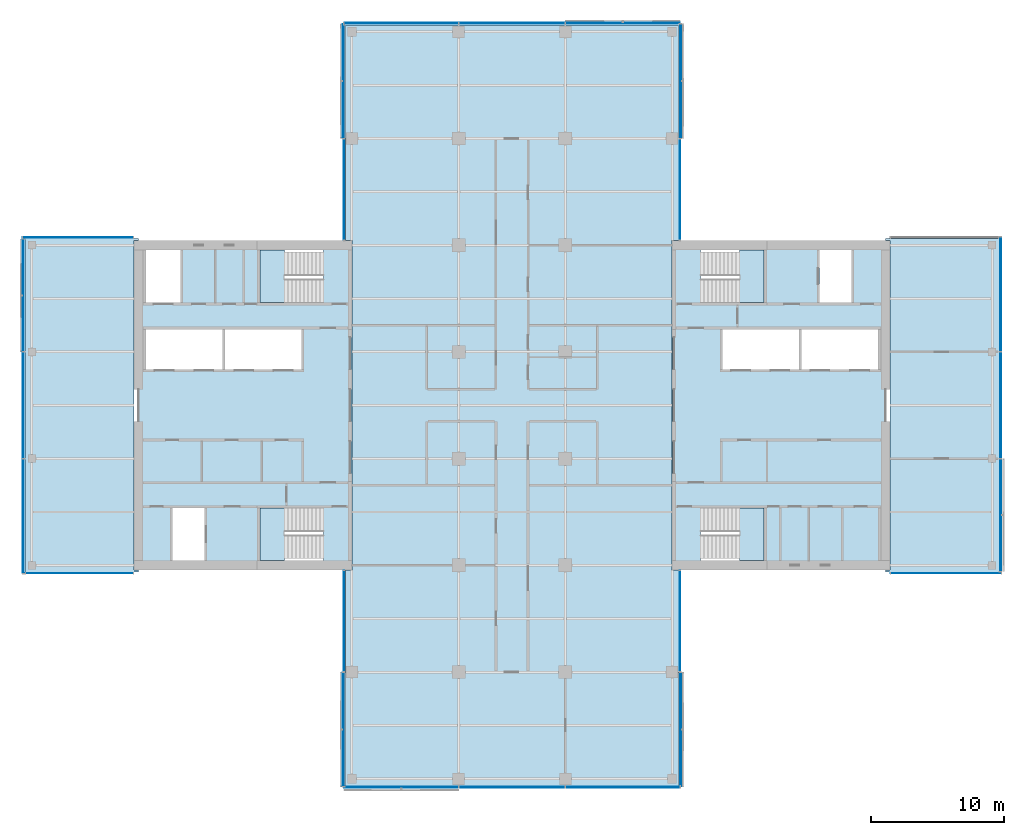
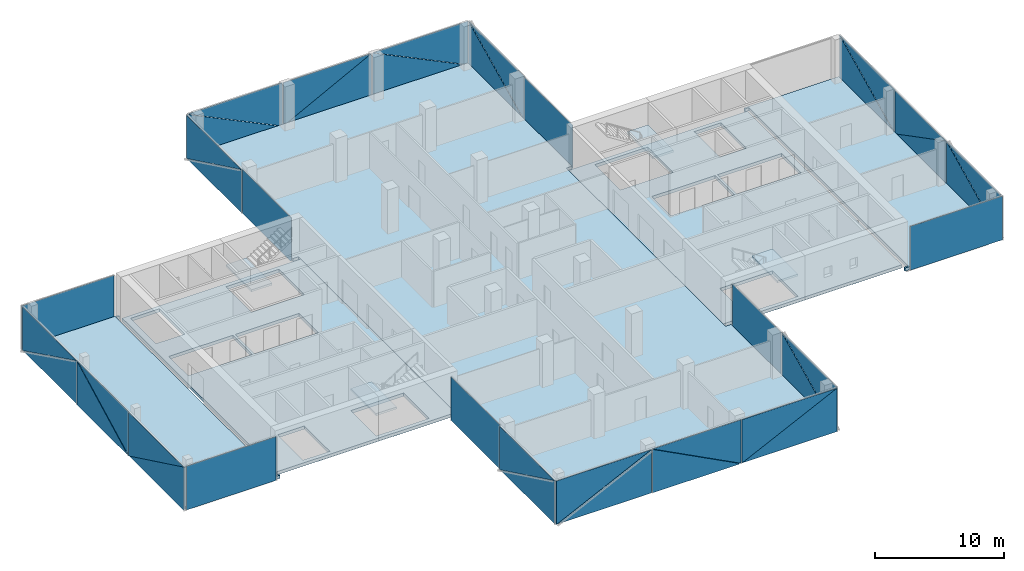
# One storey, part 12 of 22: 39 plates, 9 slabs, 19 elements without a shape of their own.
"""IFC4 building model written with IfcOpenShell, lengths in metres."""

from ifc_helpers import new_model, si_unit, direction, frame, origin, place, context, subcontext, project, spatial, polyline, outline, extrude, material, layer, layer_set, type_object, element, aggregate, save


model = new_model("IFC4")

# Units and contexts
model_context = context("Model", 3, precision=1e-05, world=origin(), true_north=direction((0.0, 1.0)))
body_context = subcontext(model_context, "Body", "Model", "MODEL_VIEW")
ifc_project = project(units=[si_unit("LENGTHUNIT", "METRE"), si_unit("AREAUNIT", "SQUARE_METRE"), si_unit("VOLUMEUNIT", "CUBIC_METRE"), si_unit("PLANEANGLEUNIT", "RADIAN"), si_unit("MASSUNIT", "GRAM", prefix="KILO")], contexts=[model_context])

# Site, building, storey
site_placement = place(None, origin())
site = spatial("IfcSite", under=ifc_project, at=site_placement, CompositionType="ELEMENT")
building_placement = place(site_placement, origin())
building = spatial("IfcBuilding", under=site, at=building_placement, Name="Crosswind Convention Tower", CompositionType="ELEMENT")
storey_placement = place(building_placement, frame((0.0, 0.0, 142.10009765625)))
storey = spatial("IfcBuildingStorey", under=building, at=storey_placement, Name="L29", CompositionType="ELEMENT", Elevation=142.10009765625)

# Slabs
ifc_material_1 = material(Name="Concrete C40/50", Category="concrete")
ifc_layer_1 = layer(ifc_material_1, 0.300048828125)
ifc_layer_set_1 = layer_set([ifc_layer_1], Name="Concrete C40/50")
slab_type_1 = type_object("IfcSlabType", Name="Composite floor slab 300", PredefinedType="FLOOR", material=ifc_layer_set_1)
slab_1_placement = place(storey_placement, frame((0.0, 0.0, -0.300048828125)))
element("IfcSlab", 1, at=slab_1_placement, inside=storey, type_object=slab_type_1, Name="Floor slab L29 part 1", PredefinedType="FLOOR", context=body_context, shape_type="SweptSolid", body=[
    extrude(outline(polyline([(97.0, 87.5), (89.0, 87.5), (88.5, 87.5), (88.5, 88.0), (88.5, 112.0), (88.5, 112.5), (89.0, 112.5), (97.0, 112.5), (97.0, 112.35009765625), (96.64990234375, 112.35009765625), (96.64990234375, 87.64990234375), (97.0, 87.64990234375), (97.0, 87.5)])), origin(), (0.0, 0.0, 1.0), 0.300048828125),
])
slab_2_placement = place(storey_placement, frame((0.0, 0.0, -0.300048828125)))
element("IfcSlab", 2, at=slab_2_placement, inside=storey, type_object=slab_type_1, Name="Floor slab L29 part 2", PredefinedType="FLOOR", context=body_context, shape_type="SweptSolid", body=[
    extrude(outline(polyline([(112.5, 87.64990234375), (113.0, 87.64990234375), (113.0, 112.35009765625), (112.5, 112.35009765625), (112.5, 128.0), (112.5, 128.5), (113.0, 128.5), (137.0, 128.5), (137.5, 128.5), (137.5, 128.0), (137.5, 112.35009765625), (137.0, 112.35009765625), (137.0, 87.64990234375), (137.5, 87.64990234375), (137.5, 72.0), (137.5, 71.5), (137.0, 71.5), (113.0, 71.5), (112.5, 71.5), (112.5, 72.0), (112.5, 87.64990234375)])), origin(), (0.0, 0.0, 1.0), 0.300048828125),
])
slab_3_placement = place(storey_placement, frame((0.0, 0.0, -0.300048828125)))
element("IfcSlab", 3, at=slab_3_placement, inside=storey, type_object=slab_type_1, Name="Floor slab L29 part 3", PredefinedType="FLOOR", context=body_context, shape_type="SweptSolid", body=[
    extrude(outline(polyline([(153.0, 112.5), (161.0, 112.5), (161.5, 112.5), (161.5, 112.0), (161.5, 88.0), (161.5, 87.5), (161.0, 87.5), (153.0, 87.5), (153.0, 87.64990234375), (153.35009765625, 87.64990234375), (153.35009765625, 112.35009765625), (153.0, 112.35009765625), (153.0, 112.5)])), origin(), (0.0, 0.0, 1.0), 0.300048828125),
])
ifc_layer_2 = layer(ifc_material_1, 0.300048828125)
ifc_layer_set_2 = layer_set([ifc_layer_2], Name="Concrete C40/50")
slab_type_2 = type_object("IfcSlabType", Name="Concrete core floor slab 300", PredefinedType="FLOOR", material=ifc_layer_set_2)
slab_4_placement = place(storey_placement, frame((0.0, 0.0, -0.300048828125)))
element("IfcSlab", 4, at=slab_4_placement, inside=storey, type_object=slab_type_2, Name="Core floor slab E L29", PredefinedType="FLOOR", context=body_context, shape_type="SweptSolid", body=[
    extrude(outline(polyline([(137.0, 88.0), (153.0, 88.0), (153.0, 112.0), (137.0, 112.0), (137.0, 88.0)]), holes=[polyline([(146.5, 102.699951171875), (146.5, 105.699951171875), (140.800048828125, 105.699951171875), (140.800048828125, 102.699951171875), (146.5, 102.699951171875)]), polyline([(152.449951171875, 102.699951171875), (152.449951171875, 105.699951171875), (146.699951171875, 105.699951171875), (146.699951171875, 102.699951171875), (152.449951171875, 102.699951171875)]), polyline([(150.449951171875, 107.699951171875), (150.449951171875, 111.64990234375), (148.050048828125, 111.64990234375), (148.050048828125, 107.699951171875), (150.449951171875, 107.699951171875)]), polyline([(143.89990234375, 107.699951171875), (143.89990234375, 111.64990234375), (139.14990234375, 111.64990234375), (139.14990234375, 107.699951171875), (143.89990234375, 107.699951171875)]), polyline([(143.89990234375, 88.35009765625), (143.89990234375, 92.300048828125), (139.14990234375, 92.300048828125), (139.14990234375, 88.35009765625), (143.89990234375, 88.35009765625)])]), origin(), (0.0, 0.0, 1.0), 0.300048828125),
])
slab_5_placement = place(storey_placement, frame((0.0, 0.0, -0.300048828125)))
element("IfcSlab", 5, at=slab_5_placement, inside=storey, type_object=slab_type_2, Name="Core floor slab W L29", PredefinedType="FLOOR", context=body_context, shape_type="SweptSolid", body=[
    extrude(outline(polyline([(97.0, 88.0), (113.0, 88.0), (113.0, 112.0), (97.0, 112.0), (97.0, 88.0)]), holes=[polyline([(109.199951171875, 102.699951171875), (109.199951171875, 105.699951171875), (103.5, 105.699951171875), (103.5, 102.699951171875), (109.199951171875, 102.699951171875)]), polyline([(103.300048828125, 102.699951171875), (103.300048828125, 105.699951171875), (97.550048828125, 105.699951171875), (97.550048828125, 102.699951171875), (103.300048828125, 102.699951171875)]), polyline([(101.949951171875, 88.35009765625), (101.949951171875, 92.300048828125), (99.550048828125, 92.300048828125), (99.550048828125, 88.35009765625), (101.949951171875, 88.35009765625)]), polyline([(100.14990234375, 107.699951171875), (100.14990234375, 111.64990234375), (97.550048828125, 111.64990234375), (97.550048828125, 107.699951171875), (100.14990234375, 107.699951171875)]), polyline([(110.85009765625, 88.35009765625), (110.85009765625, 92.300048828125), (106.10009765625, 92.300048828125), (106.10009765625, 88.35009765625), (110.85009765625, 88.35009765625)]), polyline([(110.85009765625, 107.699951171875), (110.85009765625, 111.64990234375), (106.10009765625, 111.64990234375), (106.10009765625, 107.699951171875), (110.85009765625, 107.699951171875)])]), origin(), (0.0, 0.0, 1.0), 0.300048828125),
])

# Stair, slab
stair_type = type_object("IfcStairType", Name="Exit stair 1800 wide, 2 flights of 11 risers", PredefinedType="HALF_TURN_STAIR", material=ifc_material_1)
stair_1_placement = place(storey_placement, origin())
stair_1 = element("IfcStair", 6, at=stair_1_placement, inside=storey, type_object=stair_type, Name="Exit stair ST1 L29", ObjectType="ST5", PredefinedType="HALF_TURN_STAIR")
ifc_layer_3 = layer(ifc_material_1, 0.199951171875)
ifc_layer_set_3 = layer_set([ifc_layer_3], Name="Concrete C40/50")
slab_type_3 = type_object("IfcSlabType", Name="Stair landing 200", PredefinedType="LANDING", material=ifc_layer_set_3)
slab_6_placement = place(storey_placement, frame((0.0, 0.0, 1.89990234375)))
slab_6 = element("IfcSlab", 7, at=slab_6_placement, type_object=slab_type_3, Name="ST1 landing 1", PredefinedType="LANDING", context=body_context, shape_type="SweptSolid", body=[
    extrude(outline(polyline([(143.89990234375, 107.699951171875), (143.89990234375, 111.64990234375), (142.050048828125, 111.64990234375), (142.050048828125, 107.699951171875), (143.89990234375, 107.699951171875)])), origin(), (0.0, 0.0, 1.0), 0.199951171875),
])
aggregate(stair_1, [slab_6])

stair_2_placement = place(storey_placement, origin())
stair_2 = element("IfcStair", 8, at=stair_2_placement, inside=storey, type_object=stair_type, Name="Exit stair ST2 L29", ObjectType="ST5", PredefinedType="HALF_TURN_STAIR")
slab_7_placement = place(storey_placement, frame((0.0, 0.0, 1.89990234375)))
slab_7 = element("IfcSlab", 9, at=slab_7_placement, type_object=slab_type_3, Name="ST2 landing 1", PredefinedType="LANDING", context=body_context, shape_type="SweptSolid", body=[
    extrude(outline(polyline([(143.89990234375, 88.35009765625), (143.89990234375, 92.300048828125), (142.050048828125, 92.300048828125), (142.050048828125, 88.35009765625), (143.89990234375, 88.35009765625)])), origin(), (0.0, 0.0, 1.0), 0.199951171875),
])
aggregate(stair_2, [slab_7])

stair_3_placement = place(storey_placement, origin())
stair_3 = element("IfcStair", 10, at=stair_3_placement, inside=storey, type_object=stair_type, Name="Exit stair ST3 L29", ObjectType="ST5", PredefinedType="HALF_TURN_STAIR")
slab_8_placement = place(storey_placement, frame((0.0, 0.0, 1.89990234375)))
slab_8 = element("IfcSlab", 11, at=slab_8_placement, type_object=slab_type_3, Name="ST3 landing 1", PredefinedType="LANDING", context=body_context, shape_type="SweptSolid", body=[
    extrude(outline(polyline([(107.949951171875, 88.35009765625), (107.949951171875, 92.300048828125), (106.10009765625, 92.300048828125), (106.10009765625, 88.35009765625), (107.949951171875, 88.35009765625)])), origin(), (0.0, 0.0, 1.0), 0.199951171875),
])
aggregate(stair_3, [slab_8])

stair_4_placement = place(storey_placement, origin())
stair_4 = element("IfcStair", 12, at=stair_4_placement, inside=storey, type_object=stair_type, Name="Exit stair ST4 L29", ObjectType="ST5", PredefinedType="HALF_TURN_STAIR")
slab_9_placement = place(storey_placement, frame((0.0, 0.0, 1.89990234375)))
slab_9 = element("IfcSlab", 13, at=slab_9_placement, type_object=slab_type_3, Name="ST4 landing 1", PredefinedType="LANDING", context=body_context, shape_type="SweptSolid", body=[
    extrude(outline(polyline([(107.949951171875, 107.699951171875), (107.949951171875, 111.64990234375), (106.10009765625, 111.64990234375), (106.10009765625, 107.699951171875), (107.949951171875, 107.699951171875)])), origin(), (0.0, 0.0, 1.0), 0.199951171875),
])
aggregate(stair_4, [slab_9])

# Curtain wall, plate
ifc_material_2 = material(Name="Aluminium unitised curtain wall", Category="aluminium")
curtain_wall_type_1 = type_object("IfcCurtainWallType", Name="CORE END SLOT WALL 160", PredefinedType="USERDEFINED", material=ifc_material_2)
curtain_wall_1_placement = place(storey_placement, origin())
curtain_wall_1 = element("IfcCurtainWall", 14, at=curtain_wall_1_placement, inside=storey, type_object=curtain_wall_type_1, Name="CW6 L29 N-E.1-1 slot", ObjectType="UNITISED", PredefinedType="USERDEFINED")
ifc_material_3 = material(Name="Laminated insulating glass unit", Category="glass")
ifc_layer_4 = layer(ifc_material_3, 0.02587890625)
ifc_layer_set_4 = layer_set([ifc_layer_4], Name="TRIANGULAR GLASS PANEL 26")
plate_type_1 = type_object("IfcPlateType", Name="TRIANGULAR GLASS PANEL 26", PredefinedType="CURTAIN_PANEL", material=ifc_layer_set_4)
plate_1_placement = place(storey_placement, frame((137.60693359375, 112.39990234375, -0.300048828125), z_axis=(0.999999915205, 0.0, 0.00041181312), x_axis=(0.0, 1.0, 0.0)))
plate_1 = element("IfcPlate", 15, at=plate_1_placement, type_object=plate_type_1, Name="CW6 panel 1.1", PredefinedType="CURTAIN_PANEL", context=body_context, shape_type="SweptSolid", body=[
    extrude(outline(polyline([(0.0, 0.0), (7.550048828125, 0.0), (7.550048828125, 4.149902695641108), (0.0, 4.149902695641108), (0.0, 0.0)])), origin(), (0.0, 0.0, -1.0), 0.02587890625),
])
aggregate(curtain_wall_1, [plate_1])

curtain_wall_2_placement = place(storey_placement, origin())
curtain_wall_2 = element("IfcCurtainWall", 16, at=curtain_wall_2_placement, inside=storey, type_object=curtain_wall_type_1, Name="CW6 L29 N-W.1-2 slot", ObjectType="UNITISED", PredefinedType="USERDEFINED")
plate_2_placement = place(storey_placement, frame((112.39306640625, 119.949951171875, -0.300048828125), z_axis=(-0.999999915205, 0.0, 0.00041181312), x_axis=(0.0, -1.0, 0.0)))
plate_2 = element("IfcPlate", 17, at=plate_2_placement, type_object=plate_type_1, Name="CW6 panel 1.1", PredefinedType="CURTAIN_PANEL", context=body_context, shape_type="SweptSolid", body=[
    extrude(outline(polyline([(0.0, 0.0), (7.550048828125, 0.0), (7.550048828125, 4.149902695641108), (0.0, 4.149902695641108), (0.0, 0.0)])), origin(), (0.0, 0.0, -1.0), 0.02587890625),
])
aggregate(curtain_wall_2, [plate_2])

curtain_wall_3_placement = place(storey_placement, origin())
curtain_wall_3 = element("IfcCurtainWall", 18, at=curtain_wall_3_placement, inside=storey, type_object=curtain_wall_type_1, Name="CW6 L29 W-N.2-1 slot", ObjectType="UNITISED", PredefinedType="USERDEFINED")
plate_3_placement = place(storey_placement, frame((96.60009765625, 112.60693359375, -0.300048828125), z_axis=(0.0, 0.999999915205, 0.00041181312), x_axis=(-1.0, 0.0, 0.0)))
plate_3 = element("IfcPlate", 19, at=plate_3_placement, type_object=plate_type_1, Name="CW6 panel 1.1", PredefinedType="CURTAIN_PANEL", context=body_context, shape_type="SweptSolid", body=[
    extrude(outline(polyline([(0.0, 0.0), (8.27001953125, 0.0), (8.27001953125, 4.149902695641109), (0.0, 4.149902695641109), (0.0, 0.0)])), origin(), (0.0, 0.0, -1.0), 0.02587890625),
])
aggregate(curtain_wall_3, [plate_3])

curtain_wall_4_placement = place(storey_placement, origin())
curtain_wall_4 = element("IfcCurtainWall", 20, at=curtain_wall_4_placement, inside=storey, type_object=curtain_wall_type_1, Name="CW6 L29 W-S.1-1 slot", ObjectType="UNITISED", PredefinedType="USERDEFINED")
plate_4_placement = place(storey_placement, frame((88.550048828125, 87.39306640625, -0.300048828125), z_axis=(0.0, -0.999999915205, 0.00041181312), x_axis=(1.0, 0.0, 0.0)))
plate_4 = element("IfcPlate", 21, at=plate_4_placement, type_object=plate_type_1, Name="CW6 panel 1.1", PredefinedType="CURTAIN_PANEL", context=body_context, shape_type="SweptSolid", body=[
    extrude(outline(polyline([(0.0, 0.0), (8.050048828125, 0.0), (8.050048828125, 4.149902695641108), (0.0, 4.149902695641108), (0.0, 0.0)])), origin(), (0.0, 0.0, -1.0), 0.02587890625),
])
aggregate(curtain_wall_4, [plate_4])

curtain_wall_5_placement = place(storey_placement, origin())
curtain_wall_5 = element("IfcCurtainWall", 22, at=curtain_wall_5_placement, inside=storey, type_object=curtain_wall_type_1, Name="CW6 L29 S-W.1-1 slot", ObjectType="UNITISED", PredefinedType="USERDEFINED")
plate_5_placement = place(storey_placement, frame((112.39306640625, 87.60009765625, -0.300048828125), z_axis=(-0.999999915205, 0.0, 0.00041181312), x_axis=(0.0, -1.0, 0.0)))
plate_5 = element("IfcPlate", 23, at=plate_5_placement, type_object=plate_type_1, Name="CW6 panel 1.1", PredefinedType="CURTAIN_PANEL", context=body_context, shape_type="SweptSolid", body=[
    extrude(outline(polyline([(0.0, 0.0), (7.550048828125, 0.0), (7.550048828125, 4.149902695641108), (0.0, 4.149902695641108), (0.0, 0.0)])), origin(), (0.0, 0.0, -1.0), 0.02587890625),
])
aggregate(curtain_wall_5, [plate_5])

curtain_wall_6_placement = place(storey_placement, origin())
curtain_wall_6 = element("IfcCurtainWall", 24, at=curtain_wall_6_placement, inside=storey, type_object=curtain_wall_type_1, Name="CW6 L29 S-E.1-2 slot", ObjectType="UNITISED", PredefinedType="USERDEFINED")
plate_6_placement = place(storey_placement, frame((137.60693359375, 80.050048828125, -0.300048828125), z_axis=(0.999999915205, 0.0, 0.00041181312), x_axis=(0.0, 1.0, 0.0)))
plate_6 = element("IfcPlate", 25, at=plate_6_placement, type_object=plate_type_1, Name="CW6 panel 1.1", PredefinedType="CURTAIN_PANEL", context=body_context, shape_type="SweptSolid", body=[
    extrude(outline(polyline([(0.0, 0.0), (7.550048828125, 0.0), (7.550048828125, 4.149902695641108), (0.0, 4.149902695641108), (0.0, 0.0)])), origin(), (0.0, 0.0, -1.0), 0.02587890625),
])
aggregate(curtain_wall_6, [plate_6])

curtain_wall_7_placement = place(storey_placement, origin())
curtain_wall_7 = element("IfcCurtainWall", 26, at=curtain_wall_7_placement, inside=storey, type_object=curtain_wall_type_1, Name="CW6 L29 E-S.2-1 slot", ObjectType="UNITISED", PredefinedType="USERDEFINED")
plate_7_placement = place(storey_placement, frame((153.39990234375, 87.39306640625, -0.300048828125), z_axis=(0.0, -0.999999915205, 0.00041181312), x_axis=(1.0, 0.0, 0.0)))
plate_7 = element("IfcPlate", 27, at=plate_7_placement, type_object=plate_type_1, Name="CW6 panel 1.1", PredefinedType="CURTAIN_PANEL", context=body_context, shape_type="SweptSolid", body=[
    extrude(outline(polyline([(0.0, 0.0), (8.27001953125, 0.0), (8.27001953125, 4.149902695641109), (0.0, 4.149902695641109), (0.0, 0.0)])), origin(), (0.0, 0.0, -1.0), 0.02587890625),
])
aggregate(curtain_wall_7, [plate_7])

# Curtain wall, plates
curtain_wall_type_2 = type_object("IfcCurtainWallType", Name="OFFICE UNITISED WALL 220", PredefinedType="USERDEFINED", material=ifc_material_2)
curtain_wall_8_placement = place(storey_placement, origin())
curtain_wall_8 = element("IfcCurtainWall", 28, at=curtain_wall_8_placement, inside=storey, type_object=curtain_wall_type_2, Name="CW3 L29 E-TIP 1", ObjectType="UNITISED", PredefinedType="USERDEFINED")
ifc_layer_5 = layer(ifc_material_3, 0.031982421875)
ifc_layer_set_5 = layer_set([ifc_layer_5], Name="TRIANGULAR GLASS PANEL 32")
plate_type_2 = type_object("IfcPlateType", Name="TRIANGULAR GLASS PANEL 32", PredefinedType="CURTAIN_PANEL", material=ifc_layer_set_5)
plate_8_placement = place(storey_placement, frame((161.642822265625, 95.965087890625, -0.300048828125), z_axis=(0.999999913924, 0.0, 0.000414913129), x_axis=(-0.000414913129, 0.0, 0.999999913924)))
plate_8 = element("IfcPlate", 29, at=plate_8_placement, type_object=plate_type_2, Name="CW3 panel 1.1", PredefinedType="CURTAIN_PANEL", context=body_context, shape_type="SweptSolid", body=[
    extrude(outline(polyline([(0.0, 0.0), (4.118896838915043, 0.0), (0.0, 8.372314453125), (0.0, 0.0)])), origin(), (0.0, 0.0, -1.0), 0.031982421875),
])
plate_9_placement = place(storey_placement, frame((161.67529296875, 87.570068359375, 3.829833984375), z_axis=(0.99999993676, 0.0, 0.000355639833), x_axis=(0.000355639833, 0.0, -0.99999993676)))
plate_9 = element("IfcPlate", 30, at=plate_9_placement, type_object=plate_type_2, Name="CW3 panel 1.2", PredefinedType="CURTAIN_PANEL", context=body_context, shape_type="SweptSolid", body=[
    extrude(outline(polyline([(0.0, 0.0), (4.1188967448534015, 0.0), (0.0, 8.372314453125), (0.0, 0.0)])), origin(), (0.0, 0.0, -1.0), 0.031982421875),
])
plate_10_placement = place(storey_placement, frame((161.64111328125, 103.965087890625, 3.829833984375), z_axis=(0.999999913913, 0.0, 0.000414937724), x_axis=(0.0, -1.0, 0.0)))
plate_10 = element("IfcPlate", 31, at=plate_10_placement, type_object=plate_type_2, Name="CW3 panel 2.1", PredefinedType="CURTAIN_PANEL", context=body_context, shape_type="SweptSolid", body=[
    extrude(outline(polyline([(0.0, 0.0), (7.908447265625, 0.0), (0.0, 4.118652698311059), (0.0, 0.0)])), origin(), (0.0, 0.0, -1.0), 0.031982421875),
])
plate_11_placement = place(storey_placement, frame((161.6767578125, 96.034912109375, -0.300048828125), z_axis=(0.999999936753, 0.0, 0.000355660914), x_axis=(0.0, 1.0, 0.0)))
plate_11 = element("IfcPlate", 32, at=plate_11_placement, type_object=plate_type_2, Name="CW3 panel 2.2", PredefinedType="CURTAIN_PANEL", context=body_context, shape_type="SweptSolid", body=[
    extrude(outline(polyline([(0.0, 0.0), (7.908447265625, 0.0), (0.0, 4.118652604243842), (0.0, 0.0)])), origin(), (0.0, 0.0, -1.0), 0.031982421875),
])
plate_12_placement = place(storey_placement, frame((161.642822265625, 112.590087890625, -0.300048828125), z_axis=(0.999999913924, 0.0, 0.000414913129), x_axis=(-0.000414913129, 0.0, 0.999999913924)))
plate_12 = element("IfcPlate", 33, at=plate_12_placement, type_object=plate_type_2, Name="CW3 panel 3.1", PredefinedType="CURTAIN_PANEL", context=body_context, shape_type="SweptSolid", body=[
    extrude(outline(polyline([(0.0, 0.0), (4.118896838915043, 0.0), (0.0, 8.531982421874998), (0.0, 0.0)])), origin(), (0.0, 0.0, -1.0), 0.031982421875),
])
plate_13_placement = place(storey_placement, frame((161.67529296875, 104.034912109375, 3.829833984375), z_axis=(0.99999993676, 0.0, 0.000355639833), x_axis=(0.000355639833, 0.0, -0.99999993676)))
plate_13 = element("IfcPlate", 34, at=plate_13_placement, type_object=plate_type_2, Name="CW3 panel 3.2", PredefinedType="CURTAIN_PANEL", context=body_context, shape_type="SweptSolid", body=[
    extrude(outline(polyline([(0.0, 0.0), (4.1188967448534015, 0.0), (0.0, 8.531982421875), (0.0, 0.0)])), origin(), (0.0, 0.0, -1.0), 0.031982421875),
])
aggregate(curtain_wall_8, [plate_8, plate_9, plate_10, plate_11, plate_12, plate_13])

curtain_wall_9_placement = place(storey_placement, origin())
curtain_wall_9 = element("IfcCurtainWall", 35, at=curtain_wall_9_placement, inside=storey, type_object=curtain_wall_type_2, Name="CW3 L29 N-E 1", ObjectType="UNITISED", PredefinedType="USERDEFINED")
plate_14_placement = place(storey_placement, frame((137.642822265625, 128.574951171875, -0.300048828125), z_axis=(0.999999913924, 0.0, 0.000414913129), x_axis=(-0.000414913129, 0.0, 0.999999913924)))
plate_14 = element("IfcPlate", 36, at=plate_14_placement, type_object=plate_type_2, Name="CW3 panel 1.1", PredefinedType="CURTAIN_PANEL", context=body_context, shape_type="SweptSolid", body=[
    extrude(outline(polyline([(0.0, 0.0), (4.118896838915043, 0.0), (0.0, 8.517089843749998), (0.0, 0.0)])), origin(), (0.0, 0.0, -1.0), 0.031982421875),
])
plate_15_placement = place(storey_placement, frame((137.67529296875, 120.034912109375, 3.829833984375), z_axis=(0.99999993676, 0.0, 0.000355639833), x_axis=(0.000355639833, 0.0, -0.99999993676)))
plate_15 = element("IfcPlate", 37, at=plate_15_placement, type_object=plate_type_2, Name="CW3 panel 1.2", PredefinedType="CURTAIN_PANEL", context=body_context, shape_type="SweptSolid", body=[
    extrude(outline(polyline([(0.0, 0.0), (4.1188967448534015, 0.0), (0.0, 8.51708984375), (0.0, 0.0)])), origin(), (0.0, 0.0, -1.0), 0.031982421875),
])
aggregate(curtain_wall_9, [plate_14, plate_15])

curtain_wall_10_placement = place(storey_placement, origin())
curtain_wall_10 = element("IfcCurtainWall", 38, at=curtain_wall_10_placement, inside=storey, type_object=curtain_wall_type_2, Name="CW3 L29 N-TIP 1", ObjectType="UNITISED", PredefinedType="USERDEFINED")
plate_16_placement = place(storey_placement, frame((129.034912109375, 128.642822265625, -0.300048828125), z_axis=(0.0, 0.999999913924, 0.000414913129), x_axis=(0.0, -0.000414913129, 0.999999913924)))
plate_16 = element("IfcPlate", 39, at=plate_16_placement, type_object=plate_type_2, Name="CW3 panel 1.1", PredefinedType="CURTAIN_PANEL", context=body_context, shape_type="SweptSolid", body=[
    extrude(outline(polyline([(0.0, 0.0), (4.118896838915043, 0.0), (0.0, 8.517089843749998), (0.0, 0.0)])), origin(), (0.0, 0.0, -1.0), 0.031982421875),
])
plate_17_placement = place(storey_placement, frame((137.574951171875, 128.67529296875, 3.829833984375), z_axis=(0.0, 0.99999993676, 0.000355639833), x_axis=(0.0, 0.000355639833, -0.99999993676)))
plate_17 = element("IfcPlate", 40, at=plate_17_placement, type_object=plate_type_2, Name="CW3 panel 1.2", PredefinedType="CURTAIN_PANEL", context=body_context, shape_type="SweptSolid", body=[
    extrude(outline(polyline([(0.0, 0.0), (4.1188967448534015, 0.0), (0.0, 8.51708984375), (0.0, 0.0)])), origin(), (0.0, 0.0, -1.0), 0.031982421875),
])
plate_18_placement = place(storey_placement, frame((121.034912109375, 128.64111328125, 3.829833984375), z_axis=(0.0, 0.999999913913, 0.000414937724), x_axis=(1.0, 0.0, 0.0)))
plate_18 = element("IfcPlate", 41, at=plate_18_placement, type_object=plate_type_2, Name="CW3 panel 2.1", PredefinedType="CURTAIN_PANEL", context=body_context, shape_type="SweptSolid", body=[
    extrude(outline(polyline([(0.0, 0.0), (7.908447265625, 0.0), (0.0, 4.118652698311059), (0.0, 0.0)])), origin(), (0.0, 0.0, -1.0), 0.031982421875),
])
plate_19_placement = place(storey_placement, frame((128.965087890625, 128.6767578125, -0.300048828125), z_axis=(0.0, 0.999999936753, 0.000355660914), x_axis=(-1.0, 0.0, 0.0)))
plate_19 = element("IfcPlate", 42, at=plate_19_placement, type_object=plate_type_2, Name="CW3 panel 2.2", PredefinedType="CURTAIN_PANEL", context=body_context, shape_type="SweptSolid", body=[
    extrude(outline(polyline([(0.0, 0.0), (7.908447265625, 0.0), (0.0, 4.118652604243842), (0.0, 0.0)])), origin(), (0.0, 0.0, -1.0), 0.031982421875),
])
plate_20_placement = place(storey_placement, frame((112.425048828125, 128.642822265625, -0.300048828125), z_axis=(0.0, 0.999999913924, 0.000414913129), x_axis=(0.0, -0.000414913129, 0.999999913924)))
plate_20 = element("IfcPlate", 43, at=plate_20_placement, type_object=plate_type_2, Name="CW3 panel 3.1", PredefinedType="CURTAIN_PANEL", context=body_context, shape_type="SweptSolid", body=[
    extrude(outline(polyline([(0.0, 0.0), (4.118896838915043, 0.0), (0.0, 8.517089843749998), (0.0, 0.0)])), origin(), (0.0, 0.0, -1.0), 0.031982421875),
])
plate_21_placement = place(storey_placement, frame((120.965087890625, 128.67529296875, 3.829833984375), z_axis=(0.0, 0.99999993676, 0.000355639833), x_axis=(0.0, 0.000355639833, -0.99999993676)))
plate_21 = element("IfcPlate", 44, at=plate_21_placement, type_object=plate_type_2, Name="CW3 panel 3.2", PredefinedType="CURTAIN_PANEL", context=body_context, shape_type="SweptSolid", body=[
    extrude(outline(polyline([(0.0, 0.0), (4.1188967448534015, 0.0), (0.0, 8.51708984375), (0.0, 0.0)])), origin(), (0.0, 0.0, -1.0), 0.031982421875),
])
aggregate(curtain_wall_10, [plate_16, plate_17, plate_18, plate_19, plate_20, plate_21])

curtain_wall_11_placement = place(storey_placement, origin())
curtain_wall_11 = element("IfcCurtainWall", 45, at=curtain_wall_11_placement, inside=storey, type_object=curtain_wall_type_2, Name="CW3 L29 N-W 1", ObjectType="UNITISED", PredefinedType="USERDEFINED")
plate_22_placement = place(storey_placement, frame((112.357177734375, 120.034912109375, -0.300048828125), z_axis=(-0.999999913924, 0.0, 0.000414913129), x_axis=(0.000414913129, 0.0, 0.999999913924)))
plate_22 = element("IfcPlate", 46, at=plate_22_placement, type_object=plate_type_2, Name="CW3 panel 1.1", PredefinedType="CURTAIN_PANEL", context=body_context, shape_type="SweptSolid", body=[
    extrude(outline(polyline([(0.0, 0.0), (4.118896838915043, 0.0), (0.0, 8.517089843749998), (0.0, 0.0)])), origin(), (0.0, 0.0, -1.0), 0.031982421875),
])
plate_23_placement = place(storey_placement, frame((112.32470703125, 128.574951171875, 3.829833984375), z_axis=(-0.99999993676, 0.0, 0.000355639833), x_axis=(-0.000355639833, 0.0, -0.99999993676)))
plate_23 = element("IfcPlate", 47, at=plate_23_placement, type_object=plate_type_2, Name="CW3 panel 1.2", PredefinedType="CURTAIN_PANEL", context=body_context, shape_type="SweptSolid", body=[
    extrude(outline(polyline([(0.0, 0.0), (4.1188967448534015, 0.0), (0.0, 8.51708984375), (0.0, 0.0)])), origin(), (0.0, 0.0, -1.0), 0.031982421875),
])
aggregate(curtain_wall_11, [plate_22, plate_23])

curtain_wall_12_placement = place(storey_placement, origin())
curtain_wall_12 = element("IfcCurtainWall", 48, at=curtain_wall_12_placement, inside=storey, type_object=curtain_wall_type_2, Name="CW3 L29 W-TIP 1", ObjectType="UNITISED", PredefinedType="USERDEFINED")
plate_24_placement = place(storey_placement, frame((88.357177734375, 104.034912109375, -0.300048828125), z_axis=(-0.999999913924, 0.0, 0.000414913129), x_axis=(0.000414913129, 0.0, 0.999999913924)))
plate_24 = element("IfcPlate", 49, at=plate_24_placement, type_object=plate_type_2, Name="CW3 panel 1.1", PredefinedType="CURTAIN_PANEL", context=body_context, shape_type="SweptSolid", body=[
    extrude(outline(polyline([(0.0, 0.0), (4.118896838915043, 0.0), (0.0, 8.372314453125), (0.0, 0.0)])), origin(), (0.0, 0.0, -1.0), 0.031982421875),
])
plate_25_placement = place(storey_placement, frame((88.32470703125, 112.429931640625, 3.829833984375), z_axis=(-0.99999993676, 0.0, 0.000355639833), x_axis=(-0.000355639833, 0.0, -0.99999993676)))
plate_25 = element("IfcPlate", 50, at=plate_25_placement, type_object=plate_type_2, Name="CW3 panel 1.2", PredefinedType="CURTAIN_PANEL", context=body_context, shape_type="SweptSolid", body=[
    extrude(outline(polyline([(0.0, 0.0), (4.1188967448534015, 0.0), (0.0, 8.372314453125), (0.0, 0.0)])), origin(), (0.0, 0.0, -1.0), 0.031982421875),
])
plate_26_placement = place(storey_placement, frame((88.35888671875, 96.034912109375, 3.829833984375), z_axis=(-0.999999913913, 0.0, 0.000414937724), x_axis=(0.0, 1.0, 0.0)))
plate_26 = element("IfcPlate", 51, at=plate_26_placement, type_object=plate_type_2, Name="CW3 panel 2.1", PredefinedType="CURTAIN_PANEL", context=body_context, shape_type="SweptSolid", body=[
    extrude(outline(polyline([(0.0, 0.0), (7.908447265625, 0.0), (0.0, 4.118652698311059), (0.0, 0.0)])), origin(), (0.0, 0.0, -1.0), 0.031982421875),
])
plate_27_placement = place(storey_placement, frame((88.3232421875, 103.965087890625, -0.300048828125), z_axis=(-0.999999936753, 0.0, 0.000355660914), x_axis=(0.0, -1.0, 0.0)))
plate_27 = element("IfcPlate", 52, at=plate_27_placement, type_object=plate_type_2, Name="CW3 panel 2.2", PredefinedType="CURTAIN_PANEL", context=body_context, shape_type="SweptSolid", body=[
    extrude(outline(polyline([(0.0, 0.0), (7.908447265625, 0.0), (0.0, 4.118652604243842), (0.0, 0.0)])), origin(), (0.0, 0.0, -1.0), 0.031982421875),
])
plate_28_placement = place(storey_placement, frame((88.357177734375, 87.409912109375, -0.300048828125), z_axis=(-0.999999913924, 0.0, 0.000414913129), x_axis=(0.000414913129, 0.0, 0.999999913924)))
plate_28 = element("IfcPlate", 53, at=plate_28_placement, type_object=plate_type_2, Name="CW3 panel 3.1", PredefinedType="CURTAIN_PANEL", context=body_context, shape_type="SweptSolid", body=[
    extrude(outline(polyline([(0.0, 0.0), (4.118896838915043, 0.0), (0.0, 8.531982421874998), (0.0, 0.0)])), origin(), (0.0, 0.0, -1.0), 0.031982421875),
])
plate_29_placement = place(storey_placement, frame((88.32470703125, 95.965087890625, 3.829833984375), z_axis=(-0.99999993676, 0.0, 0.000355639833), x_axis=(-0.000355639833, 0.0, -0.99999993676)))
plate_29 = element("IfcPlate", 54, at=plate_29_placement, type_object=plate_type_2, Name="CW3 panel 3.2", PredefinedType="CURTAIN_PANEL", context=body_context, shape_type="SweptSolid", body=[
    extrude(outline(polyline([(0.0, 0.0), (4.1188967448534015, 0.0), (0.0, 8.531982421875), (0.0, 0.0)])), origin(), (0.0, 0.0, -1.0), 0.031982421875),
])
aggregate(curtain_wall_12, [plate_24, plate_25, plate_26, plate_27, plate_28, plate_29])

curtain_wall_13_placement = place(storey_placement, origin())
curtain_wall_13 = element("IfcCurtainWall", 55, at=curtain_wall_13_placement, inside=storey, type_object=curtain_wall_type_2, Name="CW3 L29 S-W 1", ObjectType="UNITISED", PredefinedType="USERDEFINED")
plate_30_placement = place(storey_placement, frame((112.357177734375, 71.425048828125, -0.300048828125), z_axis=(-0.999999913924, 0.0, 0.000414913129), x_axis=(0.000414913129, 0.0, 0.999999913924)))
plate_30 = element("IfcPlate", 56, at=plate_30_placement, type_object=plate_type_2, Name="CW3 panel 1.1", PredefinedType="CURTAIN_PANEL", context=body_context, shape_type="SweptSolid", body=[
    extrude(outline(polyline([(0.0, 0.0), (4.118896838915043, 0.0), (0.0, 8.517089843749998), (0.0, 0.0)])), origin(), (0.0, 0.0, -1.0), 0.031982421875),
])
plate_31_placement = place(storey_placement, frame((112.32470703125, 79.965087890625, 3.829833984375), z_axis=(-0.99999993676, 0.0, 0.000355639833), x_axis=(-0.000355639833, 0.0, -0.99999993676)))
plate_31 = element("IfcPlate", 57, at=plate_31_placement, type_object=plate_type_2, Name="CW3 panel 1.2", PredefinedType="CURTAIN_PANEL", context=body_context, shape_type="SweptSolid", body=[
    extrude(outline(polyline([(0.0, 0.0), (4.1188967448534015, 0.0), (0.0, 8.51708984375), (0.0, 0.0)])), origin(), (0.0, 0.0, -1.0), 0.031982421875),
])
aggregate(curtain_wall_13, [plate_30, plate_31])

curtain_wall_14_placement = place(storey_placement, origin())
curtain_wall_14 = element("IfcCurtainWall", 58, at=curtain_wall_14_placement, inside=storey, type_object=curtain_wall_type_2, Name="CW3 L29 S-TIP 1", ObjectType="UNITISED", PredefinedType="USERDEFINED")
plate_32_placement = place(storey_placement, frame((120.965087890625, 71.357177734375, -0.300048828125), z_axis=(0.0, -0.999999913924, 0.000414913129), x_axis=(0.0, 0.000414913129, 0.999999913924)))
plate_32 = element("IfcPlate", 59, at=plate_32_placement, type_object=plate_type_2, Name="CW3 panel 1.1", PredefinedType="CURTAIN_PANEL", context=body_context, shape_type="SweptSolid", body=[
    extrude(outline(polyline([(0.0, 0.0), (4.118896838915043, 0.0), (0.0, 8.517089843749998), (0.0, 0.0)])), origin(), (0.0, 0.0, -1.0), 0.031982421875),
])
plate_33_placement = place(storey_placement, frame((112.425048828125, 71.32470703125, 3.829833984375), z_axis=(0.0, -0.99999993676, 0.000355639833), x_axis=(0.0, -0.000355639833, -0.99999993676)))
plate_33 = element("IfcPlate", 60, at=plate_33_placement, type_object=plate_type_2, Name="CW3 panel 1.2", PredefinedType="CURTAIN_PANEL", context=body_context, shape_type="SweptSolid", body=[
    extrude(outline(polyline([(0.0, 0.0), (4.1188967448534015, 0.0), (0.0, 8.51708984375), (0.0, 0.0)])), origin(), (0.0, 0.0, -1.0), 0.031982421875),
])
plate_34_placement = place(storey_placement, frame((128.965087890625, 71.35888671875, 3.829833984375), z_axis=(0.0, -0.999999913913, 0.000414937724), x_axis=(-1.0, 0.0, 0.0)))
plate_34 = element("IfcPlate", 61, at=plate_34_placement, type_object=plate_type_2, Name="CW3 panel 2.1", PredefinedType="CURTAIN_PANEL", context=body_context, shape_type="SweptSolid", body=[
    extrude(outline(polyline([(0.0, 0.0), (7.908447265625, 0.0), (0.0, 4.118652698311059), (0.0, 0.0)])), origin(), (0.0, 0.0, -1.0), 0.031982421875),
])
plate_35_placement = place(storey_placement, frame((121.034912109375, 71.3232421875, -0.300048828125), z_axis=(0.0, -0.999999936753, 0.000355660914), x_axis=(1.0, 0.0, 0.0)))
plate_35 = element("IfcPlate", 62, at=plate_35_placement, type_object=plate_type_2, Name="CW3 panel 2.2", PredefinedType="CURTAIN_PANEL", context=body_context, shape_type="SweptSolid", body=[
    extrude(outline(polyline([(0.0, 0.0), (7.908447265625, 0.0), (0.0, 4.118652604243842), (0.0, 0.0)])), origin(), (0.0, 0.0, -1.0), 0.031982421875),
])
plate_36_placement = place(storey_placement, frame((137.574951171875, 71.357177734375, -0.300048828125), z_axis=(0.0, -0.999999913924, 0.000414913129), x_axis=(0.0, 0.000414913129, 0.999999913924)))
plate_36 = element("IfcPlate", 63, at=plate_36_placement, type_object=plate_type_2, Name="CW3 panel 3.1", PredefinedType="CURTAIN_PANEL", context=body_context, shape_type="SweptSolid", body=[
    extrude(outline(polyline([(0.0, 0.0), (4.118896838915043, 0.0), (0.0, 8.517089843749998), (0.0, 0.0)])), origin(), (0.0, 0.0, -1.0), 0.031982421875),
])
plate_37_placement = place(storey_placement, frame((129.034912109375, 71.32470703125, 3.829833984375), z_axis=(0.0, -0.99999993676, 0.000355639833), x_axis=(0.0, -0.000355639833, -0.99999993676)))
plate_37 = element("IfcPlate", 64, at=plate_37_placement, type_object=plate_type_2, Name="CW3 panel 3.2", PredefinedType="CURTAIN_PANEL", context=body_context, shape_type="SweptSolid", body=[
    extrude(outline(polyline([(0.0, 0.0), (4.1188967448534015, 0.0), (0.0, 8.51708984375), (0.0, 0.0)])), origin(), (0.0, 0.0, -1.0), 0.031982421875),
])
aggregate(curtain_wall_14, [plate_32, plate_33, plate_34, plate_35, plate_36, plate_37])

curtain_wall_15_placement = place(storey_placement, origin())
curtain_wall_15 = element("IfcCurtainWall", 65, at=curtain_wall_15_placement, inside=storey, type_object=curtain_wall_type_2, Name="CW3 L29 S-E 1", ObjectType="UNITISED", PredefinedType="USERDEFINED")
plate_38_placement = place(storey_placement, frame((137.642822265625, 79.965087890625, -0.300048828125), z_axis=(0.999999913924, 0.0, 0.000414913129), x_axis=(-0.000414913129, 0.0, 0.999999913924)))
plate_38 = element("IfcPlate", 66, at=plate_38_placement, type_object=plate_type_2, Name="CW3 panel 1.1", PredefinedType="CURTAIN_PANEL", context=body_context, shape_type="SweptSolid", body=[
    extrude(outline(polyline([(0.0, 0.0), (4.118896838915043, 0.0), (0.0, 8.517089843749998), (0.0, 0.0)])), origin(), (0.0, 0.0, -1.0), 0.031982421875),
])
plate_39_placement = place(storey_placement, frame((137.67529296875, 71.425048828125, 3.829833984375), z_axis=(0.99999993676, 0.0, 0.000355639833), x_axis=(0.000355639833, 0.0, -0.99999993676)))
plate_39 = element("IfcPlate", 67, at=plate_39_placement, type_object=plate_type_2, Name="CW3 panel 1.2", PredefinedType="CURTAIN_PANEL", context=body_context, shape_type="SweptSolid", body=[
    extrude(outline(polyline([(0.0, 0.0), (4.1188967448534015, 0.0), (0.0, 8.51708984375), (0.0, 0.0)])), origin(), (0.0, 0.0, -1.0), 0.031982421875),
])
aggregate(curtain_wall_15, [plate_38, plate_39])

save(model, "model.ifc")
